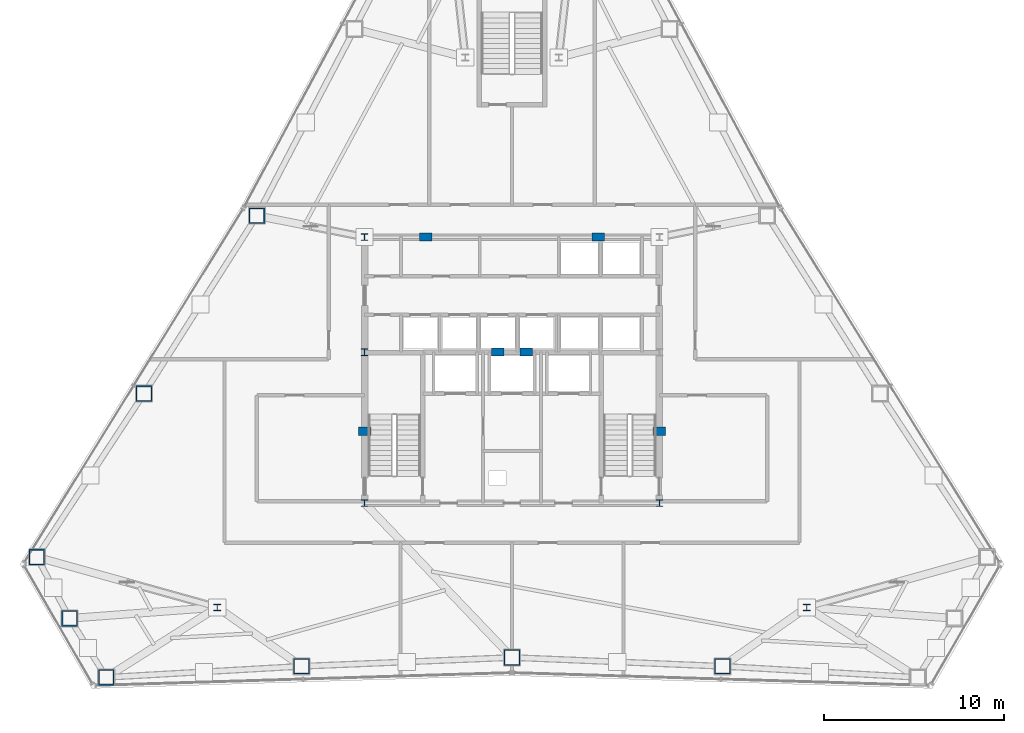
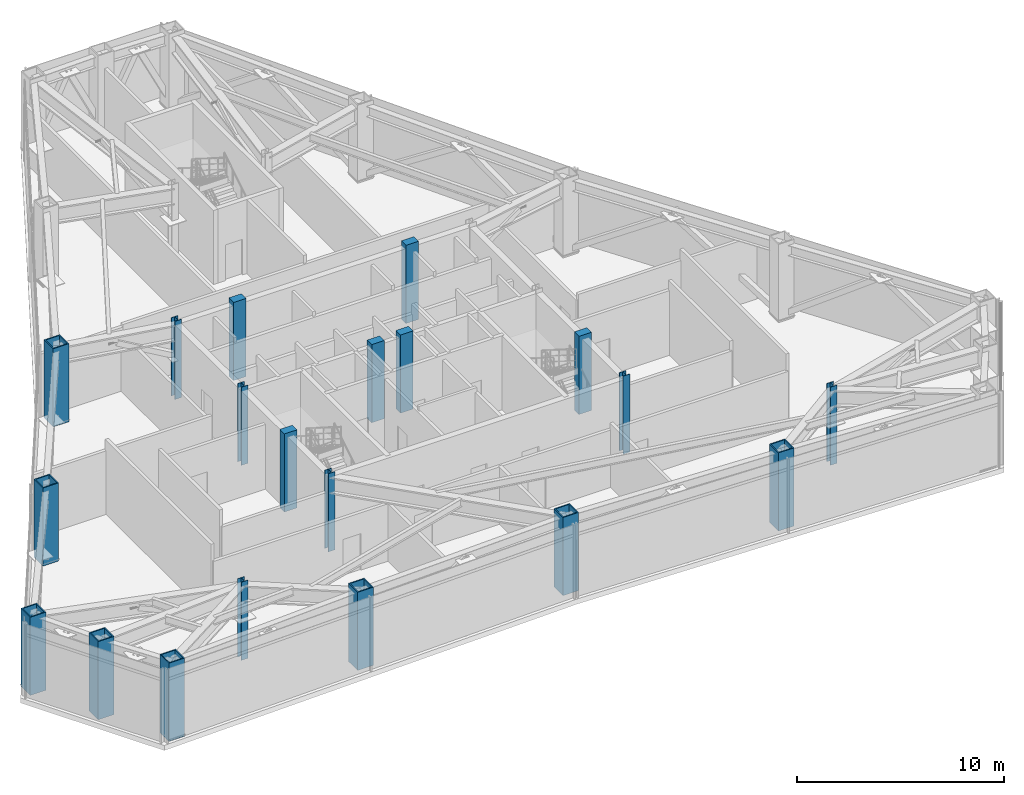
# One storey, part 1 of 12: 20 columns.
"""IFC4 building model written with IfcOpenShell, lengths in metres."""

from ifc_helpers import new_model, si_unit, direction, frame, origin, origin_2d, place, context, subcontext, project, spatial, rectangle, hollow_rectangle, i_section, extrude, material, material_profile, profile_set, type_object, element, save


model = new_model("IFC4")

# Units and contexts
model_context = context("Model", 3, precision=1e-05, world=origin(), true_north=direction((0.0, 1.0)))
body_context = subcontext(model_context, "Body", "Model", "MODEL_VIEW")
ifc_project = project(units=[si_unit("LENGTHUNIT", "METRE"), si_unit("AREAUNIT", "SQUARE_METRE"), si_unit("VOLUMEUNIT", "CUBIC_METRE"), si_unit("PLANEANGLEUNIT", "RADIAN"), si_unit("MASSUNIT", "GRAM", prefix="KILO")], contexts=[model_context])

# Site, building, storey
site_placement = place(None, origin())
site = spatial("IfcSite", under=ifc_project, at=site_placement, CompositionType="ELEMENT")
building_placement = place(site_placement, origin())
building = spatial("IfcBuilding", under=site, at=building_placement, Name="Varakhsha Concourse Tower", CompositionType="ELEMENT")
storey_placement = place(building_placement, frame((0.0, 0.0, 157.39990234375)))
storey = spatial("IfcBuildingStorey", under=building, at=storey_placement, Name="L45", CompositionType="ELEMENT", Elevation=157.39990234375)

# Columns
ifc_material_1 = material(Name="Structural Steel ASTM A992 Grade 50", Category="steel")
ifc_material_profile_1 = material_profile(ifc_material_1, i_section(OverallWidth=0.3740234375, OverallDepth=0.3720703125, WebThickness=0.01611328125, FlangeThickness=0.02587890625, at=origin_2d()), Name="W14X132")
ifc_profile_set_1 = profile_set([ifc_material_profile_1], Name="Structural Steel ASTM A992 Grade 50")
column_type_1 = type_object("IfcColumnType", Name="CL-CORE-W14X132", PredefinedType="COLUMN", material=ifc_profile_set_1)
for number, where, z_axis, x_axis, name in (
    (1, (31.800048828125, 16.39990234375, 0.0), (0.0, 0.0, 1.0), (1.0, 0.0, 0.0), "L45 Core Column CC-SW"),
    (2, (48.199951171875, 16.39990234375, 0.0), (0.0, 0.0, 1.0), (1.0, 0.0, 0.0), "L45 Core Column CC-SE"),
    (3, (31.800048828125, 24.800048828125, 0.0), (0.0, 0.0, 1.0), (1.0, 0.0, 0.0), "L45 Core Column CC-MW"),
    (4, (31.800048828125, 31.199951171875, 0.0), (0.0, 0.0, 1.0), (1.0, 0.0, 0.0), "L45 Core Column CC-NW"),
    (5, (23.60009765625, 10.60009765625, 0.0), (0.0, 0.0, 1.0), (1.0, 0.0, 0.0), "L45 Core Column SS-W"),
    (6, (56.39990234375, 10.60009765625, 0.0), (0.0, 0.0, 1.0), (1.0, 0.0, 0.0), "L45 Core Column SS-E"),
):
    element("IfcColumn", number, at=place(storey_placement, frame(where, z_axis=z_axis, x_axis=x_axis)), inside=storey, type_object=column_type_1, Name=name, PredefinedType="COLUMN", context=body_context, shape_type="SweptSolid", body=[
        extrude(i_section(OverallWidth=0.3740234375, OverallDepth=0.3720703125, WebThickness=0.01611328125, FlangeThickness=0.02587890625, at=origin_2d()), origin(), (0.0, 0.0, 1.0), 4.60009765625),
    ])
ifc_material_2 = material(Name="Concrete fc 65 MPa", Category="concrete")
ifc_material_profile_2 = material_profile(ifc_material_2, rectangle(XDim=0.699951171875, YDim=0.449951171875, at=origin_2d()), Name="RC 700x450")
ifc_profile_set_2 = profile_set([ifc_material_profile_2], Name="Concrete fc 65 MPa")
column_type_2 = type_object("IfcColumnType", Name="CL-PIL-700X450", PredefinedType="PILASTER", material=ifc_profile_set_2)
for number, where, z_axis, x_axis, name in (
    (7, (31.800048828125, 20.39990234375, 0.0), (0.0, 0.0, 1.0), (1.0, 0.0, 0.0), "L45 Core Boundary Pilaster PIL-W1"),
    (8, (48.199951171875, 20.39990234375, 0.0), (0.0, 0.0, 1.0), (1.0, 0.0, 0.0), "L45 Core Boundary Pilaster PIL-E1"),
    (9, (35.199951171875, 31.199951171875, 0.0), (0.0, 0.0, 1.0), (1.0, 0.0, 0.0), "L45 Core Boundary Pilaster PIL-N1"),
    (10, (44.800048828125, 31.199951171875, 0.0), (0.0, 0.0, 1.0), (1.0, 0.0, 0.0), "L45 Core Boundary Pilaster PIL-N2"),
    (11, (39.199951171875, 24.800048828125, 0.0), (0.0, 0.0, 1.0), (1.0, 0.0, 0.0), "L45 Core Boundary Pilaster PIL-M1"),
    (12, (40.800048828125, 24.800048828125, 0.0), (0.0, 0.0, 1.0), (1.0, 0.0, 0.0), "L45 Core Boundary Pilaster PIL-M2"),
):
    element("IfcColumn", number, at=place(storey_placement, frame(where, z_axis=z_axis, x_axis=x_axis)), inside=storey, type_object=column_type_2, Name=name, PredefinedType="PILASTER", context=body_context, shape_type="SweptSolid", body=[
        extrude(rectangle(XDim=0.699951171875, YDim=0.449951171875, at=origin_2d()), origin(), (0.0, 0.0, 1.0), 4.60009765625),
    ])
ifc_material_3 = material(Name="Structural Steel ASTM A572 Grade 50", Category="steel")
ifc_material_profile_3 = material_profile(ifc_material_3, hollow_rectangle(XDim=0.8798828125, YDim=0.8798828125, WallThickness=0.06005859375, at=origin_2d()), Name="BOX 880x880x60")
ifc_profile_set_3 = profile_set([ifc_material_profile_3], Name="Structural Steel ASTM A572 Grade 50")
column_type_3 = type_object("IfcColumnType", Name="CL-TUBE-880", PredefinedType="COLUMN", material=ifc_profile_set_3)
for number, where, z_axis, x_axis, name in (
    (13, (25.807861328125, 32.393798828125, 0.0), (0.0, 0.0, 1.0), (1.0, 0.0, 0.0), "L45 Framed-Tube Column TC05"),
    (14, (19.52734375, 22.494384765625, 0.0), (0.0, 0.0, 1.0), (1.0, 0.0, 0.0), "L45 Framed-Tube Column TC06"),
    (15, (13.563720703125, 13.397705078125, 0.0), (0.0, 0.0, 1.0), (1.0, 0.0, 0.0), "L45 Framed-Tube Column TC07"),
    (16, (15.388916015625, 9.99072265625, 0.0), (0.0, 0.0, 1.0), (1.0, 0.0, 0.0), "L45 Framed-Tube Column TC08"),
    (17, (17.4267578125, 6.70654296875, 0.0), (0.0, 0.0, 1.0), (1.0, 0.0, 0.0), "L45 Framed-Tube Column TC09"),
    (18, (28.28662109375, 7.322998046875, 0.0), (0.0, 0.0, 1.0), (1.0, 0.0, 0.0), "L45 Framed-Tube Column TC10"),
    (19, (40.0, 7.812255859375, 0.0), (0.0, 0.0, 1.0), (1.0, 0.0, 0.0), "L45 Framed-Tube Column TC11"),
    (20, (51.71337890625, 7.322998046875, 0.0), (0.0, 0.0, 1.0), (1.0, 0.0, 0.0), "L45 Framed-Tube Column TC12"),
):
    element("IfcColumn", number, at=place(storey_placement, frame(where, z_axis=z_axis, x_axis=x_axis)), inside=storey, type_object=column_type_3, Name=name, PredefinedType="COLUMN", context=body_context, shape_type="SweptSolid", body=[
        extrude(hollow_rectangle(XDim=0.8798828125, YDim=0.8798828125, WallThickness=0.06005859375, at=origin_2d()), origin(), (0.0, 0.0, 1.0), 4.60009765625),
    ])

save(model, "model.ifc")
